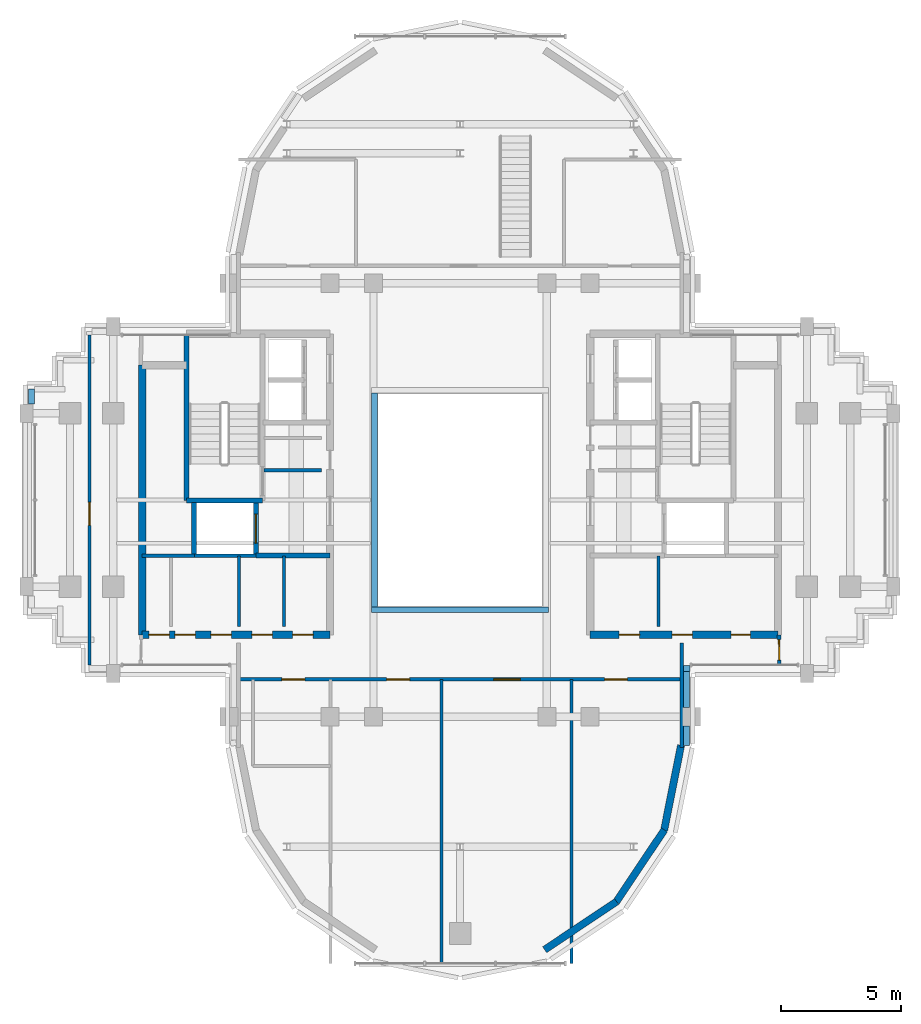
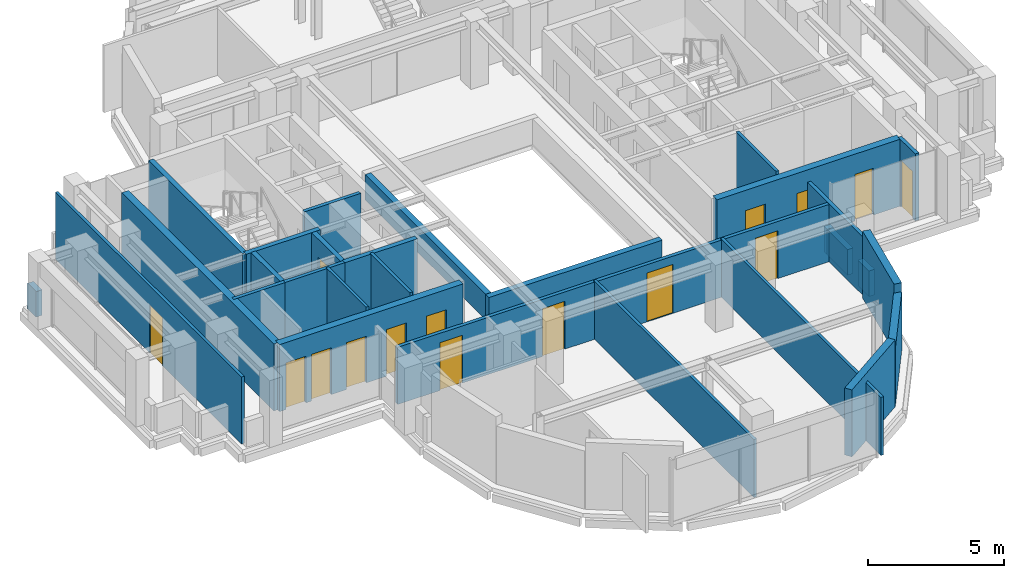
# One storey, part 8 of 13: 29 walls, 15 doors, 15 openings.
"""IFC4 building model written with IfcOpenShell, lengths in metres."""

from ifc_helpers import new_model, si_unit, direction, frame, frame_2d, origin, place, context, subcontext, project, spatial, rectangle, extrude, source, transform, mapped, material, layer, layer_set, type_object, element, fill, save


model = new_model("IFC4")

# Units and contexts
model_context = context("Model", 3, precision=1e-05, world=origin(), true_north=direction((0.0, 1.0)))
body_context = subcontext(model_context, "Body", "Model", "MODEL_VIEW")
ifc_project = project(units=[si_unit("LENGTHUNIT", "METRE"), si_unit("AREAUNIT", "SQUARE_METRE"), si_unit("VOLUMEUNIT", "CUBIC_METRE"), si_unit("PLANEANGLEUNIT", "RADIAN"), si_unit("MASSUNIT", "GRAM", prefix="KILO")], contexts=[model_context])

# Site, building, storey
site_placement = place(None, origin())
site = spatial("IfcSite", under=ifc_project, at=site_placement, CompositionType="ELEMENT")
building_placement = place(site_placement, origin())
building = spatial("IfcBuilding", under=site, at=building_placement, Name="Keilestroom Media Tower", CompositionType="ELEMENT")
storey_placement = place(building_placement, frame((0.0, 0.0, 230.0)))
storey = spatial("IfcBuildingStorey", under=building, at=storey_placement, Name="L63", CompositionType="ELEMENT", Elevation=230.0)

# Walls
ifc_material_1 = material(Name="Precast concrete C40/50", Category="concrete")
ifc_layer_1 = layer(ifc_material_1, 0.300048828125)
ifc_layer_set_1 = layer_set([ifc_layer_1], Name="Precast concrete C40/50")
wall_type_1 = type_object("IfcWallType", Name="Exterior-Masonry-Spandrel-Wall-300", PredefinedType="SOLIDWALL", material=ifc_layer_set_1)
wall_1_placement = place(storey_placement, frame((3.510009765625, -18.673583984375, 0.0), z_axis=(0.0, 0.0, 1.0), x_axis=(0.831443568068, 0.555609208993, 0.0)))
element("IfcWall", 1, at=wall_1_placement, inside=storey, type_object=wall_type_1, Name="L63 Lobe Facet Precast Frame Wall 10", PredefinedType="SOLIDWALL", context=body_context, shape_type="SweptSolid", body=[
    extrude(rectangle(XDim=3.593505859375, YDim=0.300048828125, at=frame_2d((1.796875, 0.0))), origin(), (0.0, 0.0, 1.0), 3.010009765625),
])
wall_2_placement = place(storey_placement, frame((6.47705078125, -16.697998046875, 0.0), z_axis=(0.0, 0.0, 1.0), x_axis=(0.555574187116, 0.831466970246, 0.0)))
element("IfcWall", 2, at=wall_2_placement, inside=storey, type_object=wall_type_1, Name="L63 Lobe Facet Precast Frame Wall 11", PredefinedType="SOLIDWALL", context=body_context, shape_type="SweptSolid", body=[
    extrude(rectangle(XDim=3.608642578125, YDim=0.300048828125, at=frame_2d((1.80419921875, 0.0))), origin(), (0.0, 0.0, 1.0), 2.610107421875),
])
wall_3_placement = place(storey_placement, frame((8.470703125, -13.724609375, 0.0), z_axis=(0.0, 0.0, 1.0), x_axis=(0.195114232679, 0.980780523974, 0.0)))
element("IfcWall", 3, at=wall_3_placement, inside=storey, type_object=wall_type_1, Name="L63 Lobe Facet Precast Frame Wall 12", PredefinedType="SOLIDWALL", context=body_context, shape_type="SweptSolid", body=[
    extrude(rectangle(XDim=3.608642578125, YDim=0.300048828125, at=frame_2d((1.80419921875, 0.0))), origin(), (0.0, 0.0, 1.0), 3.010009765625),
])
ifc_material_2 = material(Name="Gypsum Plasterboard & Steel Stud", Category="steel")
ifc_layer_2 = layer(ifc_material_2, 0.1201171875)
ifc_layer_set_2 = layer_set([ifc_layer_2], Name="Gypsum Plasterboard & Steel Stud")
wall_type_2 = type_object("IfcWallType", Name="Interior-Partition-Wall-120", PredefinedType="PARTITIONING", material=ifc_layer_set_2)
for number, where, z_axis, x_axis, name in (
    (4, (-9.179931640625, -5.260009765625, 0.0), (0.0, 0.0, 1.0), (0.0, 1.0, 0.0), "L63 Interior Wall WP-L63-RECMW-M1"),
    (5, (-7.320068359375, -5.260009765625, 0.0), (0.0, 0.0, 1.0), (0.0, 1.0, 0.0), "L63 Interior Wall WP-L63-RECMW-M2"),
    (6, (8.239990234375, -5.260009765625, 0.0), (0.0, 0.0, 1.0), (0.0, 1.0, 0.0), "L63 Interior Wall WP-L63-RECME-M"),
):
    element("IfcWall", number, at=place(storey_placement, frame(where, z_axis=z_axis, x_axis=x_axis)), inside=storey, type_object=wall_type_2, Name=name, PredefinedType="PARTITIONING", context=body_context, shape_type="SweptSolid", body=[
        extrude(rectangle(XDim=2.93994140625, YDim=0.1201171875, at=frame_2d((1.469970703125, 0.0))), origin(), (0.0, 0.0, 1.0), 3.010009765625),
    ])
for number, where, z_axis, x_axis, name in (
    (7, (-0.780029296875, -19.25, 0.0), (0.0, 0.0, 1.0), (0.0, 1.0, 0.0), "L63 Interior Wall WP-L63-SL-QV2"),
    (8, (4.6201171875, -19.25, 0.0), (0.0, 0.0, 1.0), (0.0, 1.0, 0.0), "L63 Interior Wall WP-L63-SL-QV3"),
):
    element("IfcWall", number, at=place(storey_placement, frame(where, z_axis=z_axis, x_axis=x_axis)), inside=storey, type_object=wall_type_2, Name=name, PredefinedType="PARTITIONING", context=body_context, shape_type="SweptSolid", body=[
        extrude(rectangle(XDim=11.800048828125, YDim=0.1201171875, at=frame_2d((5.89990234375, 0.0))), origin(), (0.0, 0.0, 1.0), 2.610107421875),
    ])

# Wall, opening, door
wall_4_placement = place(storey_placement, frame((-15.389892578125, -6.85009765625, 0.0), z_axis=(0.0, 0.0, 1.0), x_axis=(0.0, 1.0, 0.0)))
wall_4 = element("IfcWall", 9, at=wall_4_placement, inside=storey, type_object=wall_type_2, Name="L63 Interior Wall WP-L63-WA-V", PredefinedType="PARTITIONING", context=body_context, shape_type="SweptSolid", body=[
    extrude(rectangle(XDim=13.7001953125, YDim=0.1201171875, at=frame_2d((6.85009765625, 0.0))), origin(), (0.0, 0.0, 1.0), 3.010009765625),
])
opening_1_placement = place(wall_4_placement, frame((5.800048828125, 0.0, 0.0)))
opening_1 = element("IfcOpeningElement", 10, at=opening_1_placement, cuts=wall_4, Name="Opening DI-03", PredefinedType="OPENING", context=body_context, shape_type="SweptSolid", body=[
    extrude(rectangle(XDim=0.949951171875, YDim=2.14990234375, at=frame_2d((0.47509765625, 1.074951171875))), frame((0.0, 0.070068359375, 0.0), z_axis=(0.0, -1.0, 0.0), x_axis=(1.0, 0.0, 0.0)), (0.0, 0.0, 1.0), 0.14013671875),
])
ifc_material_3 = material(Name="Lacquered European Oak Leaf", Category="wood")
door_type_1 = type_object("IfcDoorType", Name="Interior-Room-And-Suite-Door-DI-03", OperationType="NOTDEFINED", PredefinedType="DOOR", material=ifc_material_3)
shared_shape_1 = source(origin(), body_context, "Body", "SweptSolid", [
    extrude(rectangle(XDim=0.949951171875, YDim=2.14990234375, at=frame_2d((0.47509765625, 1.074951171875))), frame((0.0, 0.02490234375, 0.0), z_axis=(0.0, -1.0, 0.0), x_axis=(1.0, 0.0, 0.0)), (0.0, 0.0, 1.0), 0.050048828125),
])
door_1_placement = place(opening_1_placement, origin())
door_1 = element("IfcDoor", 11, at=door_1_placement, inside=storey, type_object=door_type_1, Name="L63 Interior Door DI-L63-DWA-W", OperationType="SINGLE_SWING_LEFT", OverallHeight=2.14990234375, OverallWidth=0.949951171875, PredefinedType="DOOR", context=body_context, shape_type="MappedRepresentation", body=[
    mapped(shared_shape_1, transform((0.0, 0.0, 0.0), x_axis=(1.0, 0.0, 0.0), y_axis=(0.0, 1.0, 0.0), z_axis=(0.0, 0.0, 1.0), scale=1.0)),
])
fill(opening_1, door_1)

# Walls
ifc_layer_3 = layer(ifc_material_2, 0.14990234375)
ifc_layer_set_3 = layer_set([ifc_layer_3], Name="Gypsum Plasterboard & Steel Stud")
wall_type_3 = type_object("IfcWallType", Name="Interior-Partition-Wall-150", PredefinedType="PARTITIONING", material=ifc_layer_set_3)
wall_5_placement = place(storey_placement, frame((-8.139892578125, 1.239990234375, 0.0), z_axis=(0.0, 0.0, 1.0), x_axis=(1.0, 0.0, 0.0)))
element("IfcWall", 12, at=wall_5_placement, inside=storey, type_object=wall_type_3, Name="L63 Interior Wall WP-L63-FFW-TOP", PredefinedType="PARTITIONING", context=body_context, shape_type="SweptSolid", body=[
    extrude(rectangle(XDim=2.389892578125, YDim=0.14990234375, at=frame_2d((1.19482421875, 0.0))), origin(), (0.0, 0.0, 1.0), 3.010009765625),
])
wall_6_placement = place(storey_placement, frame((-13.199951171875, -2.320068359375, 0.0), z_axis=(0.0, 0.0, 1.0), x_axis=(1.0, 0.0, 0.0)))
element("IfcWall", 13, at=wall_6_placement, inside=storey, type_object=wall_type_3, Name="L63 Interior Wall WP-L63-RECLW-N", PredefinedType="PARTITIONING", context=body_context, shape_type="SweptSolid", body=[
    extrude(rectangle(XDim=2.179931640625, YDim=0.14990234375, at=frame_2d((1.08984375, 0.0))), origin(), (0.0, 0.0, 1.0), 3.010009765625),
])
wall_7_placement = place(storey_placement, frame((-11.0400390625, -2.320068359375, 0.0), z_axis=(0.0, 0.0, 1.0), x_axis=(1.0, 0.0, 0.0)))
element("IfcWall", 14, at=wall_7_placement, inside=storey, type_object=wall_type_3, Name="L63 Interior Wall WP-L63-RECMW-N", PredefinedType="PARTITIONING", context=body_context, shape_type="SweptSolid", body=[
    extrude(rectangle(XDim=2.56005859375, YDim=0.14990234375, at=frame_2d((1.280029296875, 0.0))), origin(), (0.0, 0.0, 1.0), 3.010009765625),
])

# Wall, openings, doors
wall_8_placement = place(storey_placement, frame((-9.199951171875, -7.449951171875, 0.0), z_axis=(0.0, 0.0, 1.0), x_axis=(1.0, 0.0, 0.0)))
wall_8 = element("IfcWall", 15, at=wall_8_placement, inside=storey, type_object=wall_type_3, Name="L63 Interior Wall WP-L63-SL-BASE", PredefinedType="PARTITIONING", context=body_context, shape_type="SweptSolid", body=[
    extrude(rectangle(XDim=18.39990234375, YDim=0.14990234375, at=frame_2d((9.199951171875, 0.0))), origin(), (0.0, 0.0, 1.0), 2.570068359375),
])
opening_2_placement = place(wall_8_placement, frame((1.800048828125, 0.0, 0.0)))
opening_2 = element("IfcOpeningElement", 16, at=opening_2_placement, cuts=wall_8, Name="Opening DI-03", PredefinedType="OPENING", context=body_context, shape_type="SweptSolid", body=[
    extrude(rectangle(XDim=0.949951171875, YDim=2.14990234375, at=frame_2d((0.47509765625, 1.074951171875))), frame((0.0, 0.0849609375, 0.0), z_axis=(0.0, -1.0, 0.0), x_axis=(1.0, 0.0, 0.0)), (0.0, 0.0, 1.0), 0.169921875),
])
opening_3_placement = place(wall_8_placement, frame((6.14990234375, 0.0, 0.0)))
opening_3 = element("IfcOpeningElement", 17, at=opening_3_placement, cuts=wall_8, Name="Opening DI-03", PredefinedType="OPENING", context=body_context, shape_type="SweptSolid", body=[
    extrude(rectangle(XDim=0.949951171875, YDim=2.14990234375, at=frame_2d((0.47509765625, 1.074951171875))), frame((0.0, 0.0849609375, 0.0), z_axis=(0.0, -1.0, 0.0), x_axis=(1.0, 0.0, 0.0)), (0.0, 0.0, 1.0), 0.169921875),
])
opening_4_placement = place(wall_8_placement, frame((10.60009765625, 0.0, 0.0)))
opening_4 = element("IfcOpeningElement", 18, at=opening_4_placement, cuts=wall_8, Name="Opening DI-04", PredefinedType="OPENING", context=body_context, shape_type="SweptSolid", body=[
    extrude(rectangle(XDim=1.10009765625, YDim=2.199951171875, at=frame_2d((0.550048828125, 1.10009765625))), frame((0.0, 0.0849609375, 0.0), z_axis=(0.0, -1.0, 0.0), x_axis=(1.0, 0.0, 0.0)), (0.0, 0.0, 1.0), 0.169921875),
])
opening_5_placement = place(wall_8_placement, frame((15.199951171875, 0.0, 0.0)))
opening_5 = element("IfcOpeningElement", 19, at=opening_5_placement, cuts=wall_8, Name="Opening DI-03", PredefinedType="OPENING", context=body_context, shape_type="SweptSolid", body=[
    extrude(rectangle(XDim=0.949951171875, YDim=2.14990234375, at=frame_2d((0.47509765625, 1.074951171875))), frame((0.0, 0.0849609375, 0.0), z_axis=(0.0, -1.0, 0.0), x_axis=(1.0, 0.0, 0.0)), (0.0, 0.0, 1.0), 0.169921875),
])
door_2_placement = place(opening_2_placement, origin())
door_2 = element("IfcDoor", 20, at=door_2_placement, inside=storey, type_object=door_type_1, Name="L63 Interior Door DI-L63-DSL-WC3", OperationType="SINGLE_SWING_LEFT", OverallHeight=2.14990234375, OverallWidth=0.949951171875, PredefinedType="DOOR", context=body_context, shape_type="MappedRepresentation", body=[
    mapped(shared_shape_1, transform((0.0, 0.0, 0.0), x_axis=(1.0, 0.0, 0.0), y_axis=(0.0, 1.0, 0.0), z_axis=(0.0, 0.0, 1.0), scale=1.0)),
])
fill(opening_2, door_2)
door_3_placement = place(opening_3_placement, origin())
door_3 = element("IfcDoor", 21, at=door_3_placement, inside=storey, type_object=door_type_1, Name="L63 Interior Door DI-L63-DSL-Q2", OperationType="SINGLE_SWING_LEFT", OverallHeight=2.14990234375, OverallWidth=0.949951171875, PredefinedType="DOOR", context=body_context, shape_type="MappedRepresentation", body=[
    mapped(shared_shape_1, transform((0.0, 0.0, 0.0), x_axis=(1.0, 0.0, 0.0), y_axis=(0.0, 1.0, 0.0), z_axis=(0.0, 0.0, 1.0), scale=1.0)),
])
fill(opening_3, door_3)
door_4_placement = place(opening_5_placement, origin())
door_4 = element("IfcDoor", 22, at=door_4_placement, inside=storey, type_object=door_type_1, Name="L63 Interior Door DI-L63-DSL-Q4", OperationType="SINGLE_SWING_LEFT", OverallHeight=2.14990234375, OverallWidth=0.949951171875, PredefinedType="DOOR", context=body_context, shape_type="MappedRepresentation", body=[
    mapped(shared_shape_1, transform((0.0, 0.0, 0.0), x_axis=(1.0, 0.0, 0.0), y_axis=(0.0, 1.0, 0.0), z_axis=(0.0, 0.0, 1.0), scale=1.0)),
])
fill(opening_5, door_4)
ifc_material_4 = material(Name="Acoustic Glazed Aluminium Leaf", Category="aluminium")
door_type_2 = type_object("IfcDoorType", Name="Interior-Room-And-Suite-Door-DI-04", OperationType="NOTDEFINED", PredefinedType="DOOR", material=ifc_material_4)
shared_shape_2 = source(origin(), body_context, "Body", "SweptSolid", [
    extrude(rectangle(XDim=1.10009765625, YDim=2.199951171875, at=frame_2d((0.550048828125, 1.10009765625))), frame((0.0, 0.02490234375, 0.0), z_axis=(0.0, -1.0, 0.0), x_axis=(1.0, 0.0, 0.0)), (0.0, 0.0, 1.0), 0.050048828125),
])
door_5_placement = place(opening_4_placement, origin())
door_5 = element("IfcDoor", 23, at=door_5_placement, inside=storey, type_object=door_type_2, Name="L63 Interior Door DI-L63-DSL-Q3", OperationType="SINGLE_SWING_RIGHT", OverallHeight=2.199951171875, OverallWidth=1.10009765625, PredefinedType="DOOR", context=body_context, shape_type="MappedRepresentation", body=[
    mapped(shared_shape_2, transform((0.0, 0.0, 0.0), x_axis=(1.0, 0.0, 0.0), y_axis=(0.0, 1.0, 0.0), z_axis=(0.0, 0.0, 1.0), scale=1.0)),
])
fill(opening_4, door_5)

# Wall
wall_9_placement = place(storey_placement, frame((9.199951171875, -10.280029296875, 0.0), z_axis=(0.0, 0.0, 1.0), x_axis=(0.0, 1.0, 0.0)))
element("IfcWall", 24, at=wall_9_placement, inside=storey, type_object=wall_type_3, Name="L63 Interior Wall WP-L63-SL-CHKE", PredefinedType="PARTITIONING", context=body_context, shape_type="SweptSolid", body=[
    extrude(rectangle(XDim=4.340087890625, YDim=0.14990234375, at=frame_2d((2.169921875, 0.0))), origin(), (0.0, 0.0, 1.0), 2.610107421875),
])

# Wall, opening, door
wall_10_placement = place(storey_placement, frame((13.260009765625, -6.85009765625, 0.0), z_axis=(0.0, 0.0, 1.0), x_axis=(-0.016013571389, 0.999871774545, 0.0)))
wall_10 = element("IfcWall", 25, at=wall_10_placement, inside=storey, type_object=wall_type_3, Name="L63 Interior Wall WP-L63-EA-ENTS", PredefinedType="PARTITIONING", context=body_context, shape_type="SweptSolid", body=[
    extrude(rectangle(XDim=1.250244140625, YDim=0.14990234375, at=frame_2d((0.625, 0.0))), origin(), (0.0, 0.0, 1.0), 3.010009765625),
])
opening_6_placement = place(wall_10_placement, frame((0.199951171875, 0.0, 0.0)))
opening_6 = element("IfcOpeningElement", 26, at=opening_6_placement, cuts=wall_10, Name="Opening DI-05", PredefinedType="OPENING", context=body_context, shape_type="SweptSolid", body=[
    extrude(rectangle(XDim=0.85009765625, YDim=2.10009765625, at=frame_2d((0.425048828125, 1.050048828125))), frame((0.0, 0.0849609375, 0.0), z_axis=(0.0, -1.0, 0.0), x_axis=(1.0, 0.0, 0.0)), (0.0, 0.0, 1.0), 0.169921875),
])
ifc_material_5 = material(Name="Moisture-Resistant Oak Leaf", Category="wood")
door_type_3 = type_object("IfcDoorType", Name="Interior-En-Suite-And-Cupboard-Door-DI-05", OperationType="NOTDEFINED", PredefinedType="DOOR", material=ifc_material_5)
shared_shape_3 = source(origin(), body_context, "Body", "SweptSolid", [
    extrude(rectangle(XDim=0.85009765625, YDim=2.10009765625, at=frame_2d((0.425048828125, 1.050048828125))), frame((0.0, 0.02490234375, 0.0), z_axis=(0.0, -1.0, 0.0), x_axis=(1.0, 0.0, 0.0)), (0.0, 0.0, 1.0), 0.050048828125),
])
door_6_placement = place(opening_6_placement, origin())
door_6 = element("IfcDoor", 27, at=door_6_placement, inside=storey, type_object=door_type_3, Name="L63 Interior Door DI-L63-DEA-S", OperationType="SINGLE_SWING_RIGHT", OverallHeight=2.10009765625, OverallWidth=0.85009765625, PredefinedType="DOOR", context=body_context, shape_type="MappedRepresentation", body=[
    mapped(shared_shape_3, transform((0.0, 0.0, 0.0), x_axis=(1.0, 0.0, 0.0), y_axis=(0.0, 1.0, 0.0), z_axis=(0.0, 0.0, 1.0), scale=1.0)),
])
fill(opening_6, door_6)

# Wall
ifc_material_6 = material(Name="Concrete C50/60", Category="concrete")
ifc_layer_4 = layer(ifc_material_6, 0.300048828125)
ifc_layer_set_4 = layer_set([ifc_layer_4], Name="Concrete C50/60")
wall_type_4 = type_object("IfcWallType", Name="Reinforced-Concrete-Core-Shear-Wall-300", PredefinedType="SHEAR", material=ifc_layer_set_4)
wall_11_placement = place(storey_placement, frame((-13.199951171875, -5.60009765625, 0.0), z_axis=(0.0, 0.0, 1.0), x_axis=(0.0, 1.0, 0.0)))
element("IfcWall", 28, at=wall_11_placement, inside=storey, type_object=wall_type_4, Name="L63 Core Shear Wall WL-L63-CORE-W-OUT", PredefinedType="SHEAR", context=body_context, shape_type="SweptSolid", body=[
    extrude(rectangle(XDim=11.2001953125, YDim=0.300048828125, at=frame_2d((5.60009765625, 0.0))), origin(), (0.0, 0.0, 1.0), 3.010009765625),
])

# Wall, openings, doors
wall_12_placement = place(storey_placement, frame((-13.199951171875, -5.60009765625, 0.0), z_axis=(0.0, 0.0, 1.0), x_axis=(1.0, 0.0, 0.0)))
wall_12 = element("IfcWall", 29, at=wall_12_placement, inside=storey, type_object=wall_type_4, Name="L63 Core Shear Wall WL-L63-CORE-W-S", PredefinedType="SHEAR", context=body_context, shape_type="SweptSolid", body=[
    extrude(rectangle(XDim=7.800048828125, YDim=0.300048828125, at=frame_2d((3.89990234375, 0.0))), origin(), (0.0, 0.0, 1.0), 3.010009765625),
])
opening_7_placement = place(wall_12_placement, frame((0.280029296875, 0.0, 0.0)))
opening_7 = element("IfcOpeningElement", 30, at=opening_7_placement, cuts=wall_12, Name="Opening DI-05", PredefinedType="OPENING", context=body_context, shape_type="SweptSolid", body=[
    extrude(rectangle(XDim=0.85009765625, YDim=2.10009765625, at=frame_2d((0.425048828125, 1.050048828125))), frame((0.0, 0.16015625, 0.0), z_axis=(0.0, -1.0, 0.0), x_axis=(1.0, 0.0, 0.0)), (0.0, 0.0, 1.0), 0.320068359375),
])
opening_8_placement = place(wall_12_placement, frame((1.360107421875, 0.0, 0.0)))
opening_8 = element("IfcOpeningElement", 31, at=opening_8_placement, cuts=wall_12, Name="Opening DI-05", PredefinedType="OPENING", context=body_context, shape_type="SweptSolid", body=[
    extrude(rectangle(XDim=0.85009765625, YDim=2.10009765625, at=frame_2d((0.425048828125, 1.050048828125))), frame((0.0, 0.16015625, 0.0), z_axis=(0.0, -1.0, 0.0), x_axis=(1.0, 0.0, 0.0)), (0.0, 0.0, 1.0), 0.320068359375),
])
opening_9_placement = place(wall_12_placement, frame((2.85009765625, 0.0, 0.0)))
opening_9 = element("IfcOpeningElement", 32, at=opening_9_placement, cuts=wall_12, Name="Opening DI-05", PredefinedType="OPENING", context=body_context, shape_type="SweptSolid", body=[
    extrude(rectangle(XDim=0.85009765625, YDim=2.10009765625, at=frame_2d((0.425048828125, 1.050048828125))), frame((0.0, 0.16015625, 0.0), z_axis=(0.0, -1.0, 0.0), x_axis=(1.0, 0.0, 0.0)), (0.0, 0.0, 1.0), 0.320068359375),
])
opening_10_placement = place(wall_12_placement, frame((4.550048828125, 0.0, 0.0)))
opening_10 = element("IfcOpeningElement", 33, at=opening_10_placement, cuts=wall_12, Name="Opening DI-05", PredefinedType="OPENING", context=body_context, shape_type="SweptSolid", body=[
    extrude(rectangle(XDim=0.85009765625, YDim=2.10009765625, at=frame_2d((0.425048828125, 1.050048828125))), frame((0.0, 0.16015625, 0.0), z_axis=(0.0, -1.0, 0.0), x_axis=(1.0, 0.0, 0.0)), (0.0, 0.0, 1.0), 0.320068359375),
])
opening_11_placement = place(wall_12_placement, frame((6.25, 0.0, 0.0)))
opening_11 = element("IfcOpeningElement", 34, at=opening_11_placement, cuts=wall_12, Name="Opening DI-05", PredefinedType="OPENING", context=body_context, shape_type="SweptSolid", body=[
    extrude(rectangle(XDim=0.85009765625, YDim=2.10009765625, at=frame_2d((0.425048828125, 1.050048828125))), frame((0.0, 0.16015625, 0.0), z_axis=(0.0, -1.0, 0.0), x_axis=(1.0, 0.0, 0.0)), (0.0, 0.0, 1.0), 0.320068359375),
])
door_7_placement = place(opening_7_placement, origin())
door_7 = element("IfcDoor", 35, at=door_7_placement, inside=storey, type_object=door_type_3, Name="L63 Reclaimed West Closet 1 Door", OperationType="SINGLE_SWING_LEFT", OverallHeight=2.10009765625, OverallWidth=0.85009765625, PredefinedType="DOOR", context=body_context, shape_type="MappedRepresentation", body=[
    mapped(shared_shape_3, transform((0.0, 0.0, 0.0), x_axis=(1.0, 0.0, 0.0), y_axis=(0.0, 1.0, 0.0), z_axis=(0.0, 0.0, 1.0), scale=1.0)),
])
fill(opening_7, door_7)
door_8_placement = place(opening_8_placement, origin())
door_8 = element("IfcDoor", 36, at=door_8_placement, inside=storey, type_object=door_type_3, Name="L63 Reclaimed West Closet 2 Door", OperationType="SINGLE_SWING_RIGHT", OverallHeight=2.10009765625, OverallWidth=0.85009765625, PredefinedType="DOOR", context=body_context, shape_type="MappedRepresentation", body=[
    mapped(shared_shape_3, transform((0.0, 0.0, 0.0), x_axis=(1.0, 0.0, 0.0), y_axis=(0.0, 1.0, 0.0), z_axis=(0.0, 0.0, 1.0), scale=1.0)),
])
fill(opening_8, door_8)
door_9_placement = place(opening_9_placement, origin())
door_9 = element("IfcDoor", 37, at=door_9_placement, inside=storey, type_object=door_type_3, Name="L63 Reclaimed Mid West Room 1 Door", OperationType="SINGLE_SWING_LEFT", OverallHeight=2.10009765625, OverallWidth=0.85009765625, PredefinedType="DOOR", context=body_context, shape_type="MappedRepresentation", body=[
    mapped(shared_shape_3, transform((0.0, 0.0, 0.0), x_axis=(1.0, 0.0, 0.0), y_axis=(0.0, 1.0, 0.0), z_axis=(0.0, 0.0, 1.0), scale=1.0)),
])
fill(opening_9, door_9)
door_10_placement = place(opening_10_placement, origin())
door_10 = element("IfcDoor", 38, at=door_10_placement, inside=storey, type_object=door_type_3, Name="L63 Reclaimed Mid West Room 2 Door", OperationType="SINGLE_SWING_LEFT", OverallHeight=2.10009765625, OverallWidth=0.85009765625, PredefinedType="DOOR", context=body_context, shape_type="MappedRepresentation", body=[
    mapped(shared_shape_3, transform((0.0, 0.0, 0.0), x_axis=(1.0, 0.0, 0.0), y_axis=(0.0, 1.0, 0.0), z_axis=(0.0, 0.0, 1.0), scale=1.0)),
])
fill(opening_10, door_10)
door_11_placement = place(opening_11_placement, origin())
door_11 = element("IfcDoor", 39, at=door_11_placement, inside=storey, type_object=door_type_3, Name="L63 Reclaimed Mid West Room 3 Door", OperationType="SINGLE_SWING_RIGHT", OverallHeight=2.10009765625, OverallWidth=0.85009765625, PredefinedType="DOOR", context=body_context, shape_type="MappedRepresentation", body=[
    mapped(shared_shape_3, transform((0.0, 0.0, 0.0), x_axis=(1.0, 0.0, 0.0), y_axis=(0.0, 1.0, 0.0), z_axis=(0.0, 0.0, 1.0), scale=1.0)),
])
fill(opening_11, door_11)

wall_13_placement = place(storey_placement, frame((5.39990234375, -5.60009765625, 0.0), z_axis=(0.0, 0.0, 1.0), x_axis=(1.0, 0.0, 0.0)))
wall_13 = element("IfcWall", 40, at=wall_13_placement, inside=storey, type_object=wall_type_4, Name="L63 Core Shear Wall WL-L63-CORE-E-S", PredefinedType="SHEAR", context=body_context, shape_type="SweptSolid", body=[
    extrude(rectangle(XDim=7.800048828125, YDim=0.300048828125, at=frame_2d((3.89990234375, 0.0))), origin(), (0.0, 0.0, 1.0), 3.010009765625),
])
opening_12_placement = place(wall_13_placement, frame((5.85009765625, 0.0, 0.0)))
opening_12 = element("IfcOpeningElement", 41, at=opening_12_placement, cuts=wall_13, Name="Opening DI-06", PredefinedType="OPENING", context=body_context, shape_type="SweptSolid", body=[
    extrude(rectangle(XDim=0.800048828125, YDim=2.10009765625, at=frame_2d((0.39990234375, 1.050048828125))), frame((0.0, 0.16015625, 0.0), z_axis=(0.0, -1.0, 0.0), x_axis=(1.0, 0.0, 0.0)), (0.0, 0.0, 1.0), 0.320068359375),
])
opening_13_placement = place(wall_13_placement, frame((1.199951171875, 0.0, 0.0)))
opening_13 = element("IfcOpeningElement", 42, at=opening_13_placement, cuts=wall_13, Name="Opening DI-05", PredefinedType="OPENING", context=body_context, shape_type="SweptSolid", body=[
    extrude(rectangle(XDim=0.85009765625, YDim=2.10009765625, at=frame_2d((0.425048828125, 1.050048828125))), frame((0.0, 0.16015625, 0.0), z_axis=(0.0, -1.0, 0.0), x_axis=(1.0, 0.0, 0.0)), (0.0, 0.0, 1.0), 0.320068359375),
])
opening_14_placement = place(wall_13_placement, frame((3.39990234375, 0.0, 0.0)))
opening_14 = element("IfcOpeningElement", 43, at=opening_14_placement, cuts=wall_13, Name="Opening DI-05", PredefinedType="OPENING", context=body_context, shape_type="SweptSolid", body=[
    extrude(rectangle(XDim=0.85009765625, YDim=2.10009765625, at=frame_2d((0.425048828125, 1.050048828125))), frame((0.0, 0.16015625, 0.0), z_axis=(0.0, -1.0, 0.0), x_axis=(1.0, 0.0, 0.0)), (0.0, 0.0, 1.0), 0.320068359375),
])
ifc_material_7 = material(Name="Powder-Coated Steel Service Leaf", Category="steel")
door_type_4 = type_object("IfcDoorType", Name="Interior-Riser-Access-Door-DI-06", OperationType="NOTDEFINED", PredefinedType="DOOR", material=ifc_material_7)
shared_shape_4 = source(origin(), body_context, "Body", "SweptSolid", [
    extrude(rectangle(XDim=0.800048828125, YDim=2.10009765625, at=frame_2d((0.39990234375, 1.050048828125))), frame((0.0, 0.02490234375, 0.0), z_axis=(0.0, -1.0, 0.0), x_axis=(1.0, 0.0, 0.0)), (0.0, 0.0, 1.0), 0.050048828125),
])
door_12_placement = place(opening_12_placement, origin())
door_12 = element("IfcDoor", 44, at=door_12_placement, inside=storey, type_object=door_type_4, Name="L63 Reclaimed East Core Room Door", OperationType="SINGLE_SWING_RIGHT", OverallHeight=2.10009765625, OverallWidth=0.800048828125, PredefinedType="DOOR", context=body_context, shape_type="MappedRepresentation", body=[
    mapped(shared_shape_4, transform((0.0, 0.0, 0.0), x_axis=(1.0, 0.0, 0.0), y_axis=(0.0, 1.0, 0.0), z_axis=(0.0, 0.0, 1.0), scale=1.0)),
])
fill(opening_12, door_12)
door_13_placement = place(opening_13_placement, origin())
door_13 = element("IfcDoor", 45, at=door_13_placement, inside=storey, type_object=door_type_3, Name="L63 Reclaimed Mid East Room 1 Door", OperationType="SINGLE_SWING_RIGHT", OverallHeight=2.10009765625, OverallWidth=0.85009765625, PredefinedType="DOOR", context=body_context, shape_type="MappedRepresentation", body=[
    mapped(shared_shape_3, transform((0.0, 0.0, 0.0), x_axis=(1.0, 0.0, 0.0), y_axis=(0.0, 1.0, 0.0), z_axis=(0.0, 0.0, 1.0), scale=1.0)),
])
fill(opening_13, door_13)
door_14_placement = place(opening_14_placement, origin())
door_14 = element("IfcDoor", 46, at=door_14_placement, inside=storey, type_object=door_type_3, Name="L63 Reclaimed Mid East Room 2 Door", OperationType="SINGLE_SWING_RIGHT", OverallHeight=2.10009765625, OverallWidth=0.85009765625, PredefinedType="DOOR", context=body_context, shape_type="MappedRepresentation", body=[
    mapped(shared_shape_3, transform((0.0, 0.0, 0.0), x_axis=(1.0, 0.0, 0.0), y_axis=(0.0, 1.0, 0.0), z_axis=(0.0, 0.0, 1.0), scale=1.0)),
])
fill(opening_14, door_14)

# Walls
ifc_layer_5 = layer(ifc_material_6, 0.199951171875)
ifc_layer_set_5 = layer_set([ifc_layer_5], Name="Concrete C50/60")
wall_type_5 = type_object("IfcWallType", Name="Reinforced-Concrete-Shaft-Wall-200", PredefinedType="SOLIDWALL", material=ifc_layer_set_5)
wall_14_placement = place(storey_placement, frame((-8.47998046875, -2.300048828125, 0.0), z_axis=(0.0, 0.0, 1.0), x_axis=(1.0, 0.0, 0.0)))
element("IfcWall", 47, at=wall_14_placement, inside=storey, type_object=wall_type_5, Name="L63 Core Shear Wall WL-L63-CORE-W-FFS", PredefinedType="SOLIDWALL", context=body_context, shape_type="SweptSolid", body=[
    extrude(rectangle(XDim=3.080078125, YDim=0.199951171875, at=frame_2d((1.5400390625, 0.0))), origin(), (0.0, 0.0, 1.0), 3.010009765625),
])
wall_15_placement = place(storey_placement, frame((-11.35595703125, -0.01611328125, 0.0), z_axis=(0.0, 0.0, 1.0), x_axis=(0.0, 1.0, 0.0)))
element("IfcWall", 48, at=wall_15_placement, inside=storey, type_object=wall_type_5, Name="L63 Core Shear Wall WL-L63-STW-W-FAR", PredefinedType="SOLIDWALL", context=body_context, shape_type="SweptSolid", body=[
    extrude(rectangle(XDim=6.916015625, YDim=0.199951171875, at=frame_2d((3.4580078125, 0.0))), origin(), (0.0, 0.0, 1.0), 3.010009765625),
])
wall_16_placement = place(storey_placement, frame((-11.35595703125, -0.01611328125, 0.0), z_axis=(0.0, 0.0, 1.0), x_axis=(1.0, 0.0, 0.0)))
element("IfcWall", 49, at=wall_16_placement, inside=storey, type_object=wall_type_5, Name="L63 Core Shear Wall WL-L63-STW-W-S", PredefinedType="SOLIDWALL", context=body_context, shape_type="SweptSolid", body=[
    extrude(rectangle(XDim=3.15185546875, YDim=0.199951171875, at=frame_2d((1.575927734375, 0.0))), origin(), (0.0, 0.0, 1.0), 3.010009765625),
])
wall_17_placement = place(storey_placement, frame((-11.050048828125, -2.280029296875, 0.0), z_axis=(0.0, 0.0, 1.0), x_axis=(0.0, 1.0, 0.0)))
element("IfcWall", 50, at=wall_17_placement, inside=storey, type_object=wall_type_5, Name="L63 Core Shear Wall WL-L63-LSH-FFL-1-W", PredefinedType="SOLIDWALL", context=body_context, shape_type="SweptSolid", body=[
    extrude(rectangle(XDim=2.179931640625, YDim=0.199951171875, at=frame_2d((1.08984375, 0.0))), origin(), (0.0, 0.0, 1.0), 3.010009765625),
])

# Wall, opening, door
wall_18_placement = place(storey_placement, frame((-8.47998046875, -2.280029296875, 0.0), z_axis=(0.0, 0.0, 1.0), x_axis=(0.0, 1.0, 0.0)))
wall_18 = element("IfcWall", 51, at=wall_18_placement, inside=storey, type_object=wall_type_5, Name="L63 Core Shear Wall WL-L63-LSH-FFL-1-E", PredefinedType="SOLIDWALL", context=body_context, shape_type="SweptSolid", body=[
    extrude(rectangle(XDim=2.179931640625, YDim=0.199951171875, at=frame_2d((1.08984375, 0.0))), origin(), (0.0, 0.0, 1.0), 3.010009765625),
])
opening_15_placement = place(wall_18_placement, frame((0.489990234375, 0.0, 0.0)))
opening_15 = element("IfcOpeningElement", 52, at=opening_15_placement, cuts=wall_18, Name="Opening LD-02", PredefinedType="OPENING", context=body_context, shape_type="SweptSolid", body=[
    extrude(rectangle(XDim=1.199951171875, YDim=2.199951171875, at=frame_2d((0.60009765625, 1.10009765625))), frame((0.0, 0.10986328125, 0.0), z_axis=(0.0, -1.0, 0.0), x_axis=(1.0, 0.0, 0.0)), (0.0, 0.0, 1.0), 0.219970703125),
])
ifc_material_8 = material(Name="Brushed Stainless Steel Sliding Leaf", Category="steel")
door_type_5 = type_object("IfcDoorType", Name="Lift-Landing-Sliding-Door-LD-02", OperationType="SLIDING_TO_RIGHT", PredefinedType="DOOR", material=ifc_material_8)
shared_shape_5 = source(origin(), body_context, "Body", "SweptSolid", [
    extrude(rectangle(XDim=1.199951171875, YDim=2.199951171875, at=frame_2d((0.60009765625, 1.10009765625))), frame((0.0, 0.02490234375, 0.0), z_axis=(0.0, -1.0, 0.0), x_axis=(1.0, 0.0, 0.0)), (0.0, 0.0, 1.0), 0.050048828125),
])
door_15_placement = place(opening_15_placement, origin())
door_15 = element("IfcDoor", 53, at=door_15_placement, inside=storey, type_object=door_type_5, Name="L63 Lift FFL-1 Landing Sliding Door", OperationType="SLIDING_TO_RIGHT", OverallHeight=2.199951171875, OverallWidth=1.199951171875, PredefinedType="DOOR", context=body_context, shape_type="MappedRepresentation", body=[
    mapped(shared_shape_5, transform((0.0, 0.0, 0.0), x_axis=(1.0, 0.0, 0.0), y_axis=(0.0, 1.0, 0.0), z_axis=(0.0, 0.0, 1.0), scale=1.0)),
])
fill(opening_15, door_15)

# Walls
ifc_layer_6 = layer(ifc_material_1, 0.239990234375)
ifc_layer_set_6 = layer_set([ifc_layer_6], Name="Precast concrete C40/50")
wall_type_6 = type_object("IfcWallType", Name="Roof-And-Terrace-Parapet-Wall-240", PredefinedType="PARAPET", material=ifc_layer_set_6)
wall_19_placement = place(storey_placement, frame((9.547119140625, -7.0, 0.0), z_axis=(0.0, 0.0, 1.0), x_axis=(-1.0, 0.0, 0.0)))
element("IfcWall", 54, at=wall_19_placement, inside=storey, type_object=wall_type_6, Name="L63 Perimeter Edge Parapet Wall 06", PredefinedType="PARAPET", context=body_context, shape_type="SweptSolid", body=[
    extrude(rectangle(XDim=0.26904296875, YDim=0.239990234375, at=frame_2d((0.134521484375, 0.0))), origin(), (0.0, 0.0, 1.0), 1.14990234375),
])
wall_20_placement = place(storey_placement, frame((9.39990234375, -7.123046875, 0.0), z_axis=(0.0, 0.0, 1.0), x_axis=(0.0, -1.0, 0.0)))
element("IfcWall", 55, at=wall_20_placement, inside=storey, type_object=wall_type_6, Name="L63 Perimeter Edge Parapet Wall 07", PredefinedType="PARAPET", context=body_context, shape_type="SweptSolid", body=[
    extrude(rectangle(XDim=1.4990234375, YDim=0.239990234375, at=frame_2d((0.74951171875, 0.0))), origin(), (0.0, 0.0, 1.0), 1.14990234375),
])
wall_21_placement = place(storey_placement, frame((9.39990234375, -9.3779296875, 0.0), z_axis=(0.0, 0.0, 1.0), x_axis=(0.0, -1.0, 0.0)))
element("IfcWall", 56, at=wall_21_placement, inside=storey, type_object=wall_type_6, Name="L63 Perimeter Edge Parapet Wall 08", PredefinedType="PARAPET", context=body_context, shape_type="SweptSolid", body=[
    extrude(rectangle(XDim=0.824951171875, YDim=0.239990234375, at=frame_2d((0.41259765625, 0.0))), origin(), (0.0, 0.0, 1.0), 1.14990234375),
])
wall_22_placement = place(storey_placement, frame((-17.800048828125, 3.97802734375, 0.0), z_axis=(0.0, 0.0, 1.0), x_axis=(0.0, 1.0, 0.0)))
element("IfcWall", 57, at=wall_22_placement, inside=storey, type_object=wall_type_6, Name="L63 Perimeter Edge Parapet Wall 18", PredefinedType="PARAPET", context=body_context, shape_type="SweptSolid", body=[
    extrude(rectangle(XDim=0.6220703125, YDim=0.239990234375, at=frame_2d((0.31103515625, 0.0))), origin(), (0.0, 0.0, 1.0), 1.14990234375),
])
wall_23_placement = place(storey_placement, frame((-3.679931640625, -4.56005859375, 0.0), z_axis=(0.0, 0.0, 1.0), x_axis=(1.0, 0.0, 0.0)))
element("IfcWall", 58, at=wall_23_placement, inside=storey, type_object=wall_type_6, Name="L63 Central Atrium Guard Parapet S", PredefinedType="PARAPET", context=body_context, shape_type="SweptSolid", body=[
    extrude(rectangle(XDim=7.35986328125, YDim=0.239990234375, at=frame_2d((3.679931640625, 0.0))), origin(), (0.0, 0.0, 1.0), 1.14990234375),
])
wall_24_placement = place(storey_placement, frame((-3.56005859375, -4.43505859375, 0.0), z_axis=(0.0, 0.0, 1.0), x_axis=(0.0, 1.0, 0.0)))
element("IfcWall", 59, at=wall_24_placement, inside=storey, type_object=wall_type_6, Name="L63 Central Atrium Guard Parapet W", PredefinedType="PARAPET", context=body_context, shape_type="SweptSolid", body=[
    extrude(rectangle(XDim=8.8701171875, YDim=0.239990234375, at=frame_2d((4.43505859375, 0.0))), origin(), (0.0, 0.0, 1.0), 1.14990234375),
])

save(model, "model.ifc")
